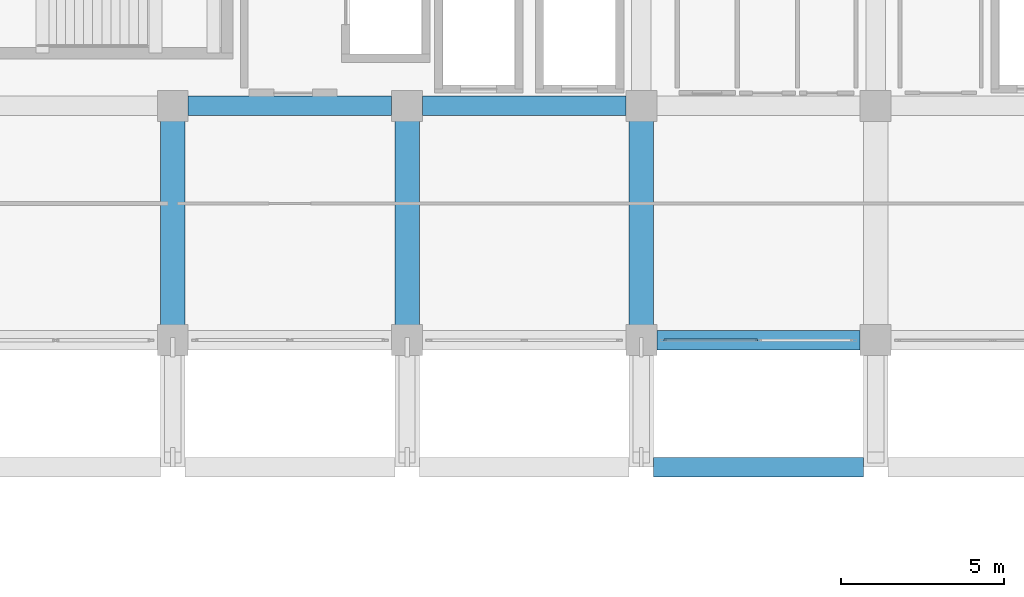
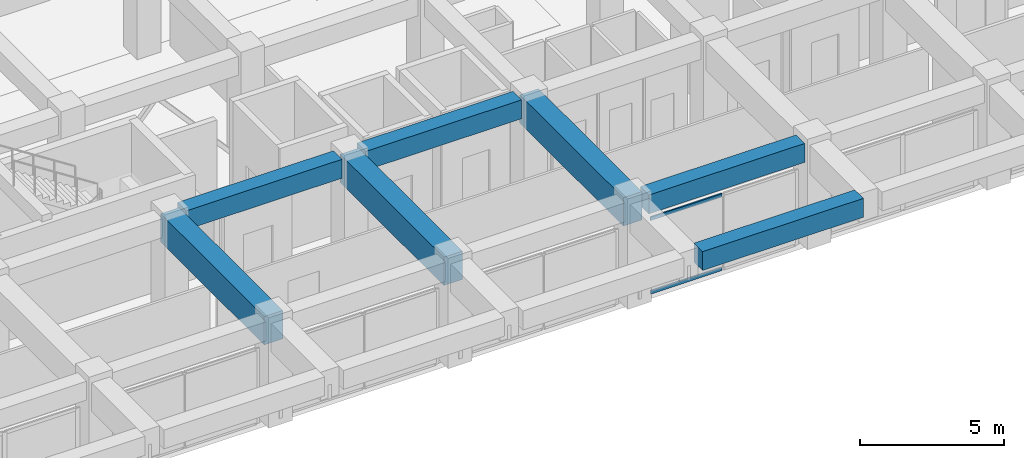
# One storey, part 12 of 54: 7 beams, 2 members, 1 element without a shape of its own.
"""IFC4 building model written with IfcOpenShell, lengths in metres."""

from ifc_helpers import new_model, si_unit, direction, frame, origin, origin_2d, place, context, subcontext, project, spatial, rectangle, hollow_rectangle, extrude, material, material_profile, profile_set, type_object, element, aggregate, save


model = new_model("IFC4")

# Units and contexts
model_context = context("Model", 3, precision=1e-05, world=origin(), true_north=direction((0.0, 1.0)))
body_context = subcontext(model_context, "Body", "Model", "MODEL_VIEW")
ifc_project = project(units=[si_unit("LENGTHUNIT", "METRE"), si_unit("AREAUNIT", "SQUARE_METRE"), si_unit("VOLUMEUNIT", "CUBIC_METRE"), si_unit("PLANEANGLEUNIT", "RADIAN"), si_unit("MASSUNIT", "GRAM", prefix="KILO")], contexts=[model_context])

# Site, building, storey
site_placement = place(None, origin())
site = spatial("IfcSite", under=ifc_project, at=site_placement, CompositionType="ELEMENT")
building_placement = place(site_placement, origin())
building = spatial("IfcBuilding", under=site, at=building_placement, Name="Kazehaya Institute of Natural Sciences", CompositionType="ELEMENT")
storey_placement = place(building_placement, frame((0.0, 0.0, 10.43994140625)))
storey = spatial("IfcBuildingStorey", under=building, at=storey_placement, Name="L02", CompositionType="ELEMENT", Elevation=10.43994140625)

# Beams
ifc_material_1 = material(Name="Concrete Fc36", Category="concrete")
ifc_material_profile_1 = material_profile(ifc_material_1, rectangle(XDim=0.60009765625, YDim=0.800048828125, at=origin_2d()), Name="RC-600x800")
ifc_profile_set_1 = profile_set([ifc_material_profile_1], Name="Concrete Fc36")
beam_type_1 = type_object("IfcBeamType", Name="BM-G-600x800", PredefinedType="BEAM", material=ifc_profile_set_1)
beam_placement = place(storey_placement, frame((83.77490234375, 10.10009765625, 4.010009765625), z_axis=(1.0, 0.0, 0.0), x_axis=(0.0, 1.0, 0.0)))
element("IfcBeam", 1, at=beam_placement, inside=storey, type_object=beam_type_1, Name="L02 primary X girder BMX-L02-834-101", PredefinedType="BEAM", context=body_context, shape_type="SweptSolid", body=[
    extrude(rectangle(XDim=0.60009765625, YDim=0.800048828125, at=origin_2d()), origin(), (0.0, 0.0, 1.0), 6.4501953125),
])
for number, where, z_axis, x_axis, name in (
    (2, (83.875, 14.0, 4.010009765625), (1.0, 0.0, 0.0), (0.0, 1.0, 0.0), "L02 primary X girder BMX-L02-834-140"),
    (3, (69.47509765625, 21.199951171875, 4.010009765625), (1.0, 0.0, 0.0), (0.0, 1.0, 0.0), "L02 primary X girder BMX-L02-690-212"),
    (4, (76.675048828125, 21.199951171875, 4.010009765625), (1.0, 0.0, 0.0), (0.0, 1.0, 0.0), "L02 primary X girder BMX-L02-762-212"),
):
    element("IfcBeam", number, at=place(storey_placement, frame(where, z_axis=z_axis, x_axis=x_axis)), inside=storey, type_object=beam_type_1, Name=name, PredefinedType="BEAM", context=body_context, shape_type="SweptSolid", body=[
        extrude(rectangle(XDim=0.60009765625, YDim=0.800048828125, at=origin_2d()), origin(), (0.0, 0.0, 1.0), 6.25),
    ])
ifc_material_2 = material(Name="Concrete Fc42", Category="concrete")
ifc_material_profile_2 = material_profile(ifc_material_2, rectangle(XDim=0.75, YDim=1.199951171875, at=origin_2d()), Name="RC-750x1200")
ifc_profile_set_2 = profile_set([ifc_material_profile_2], Name="Concrete Fc42")
beam_type_2 = type_object("IfcBeamType", Name="BM-TG-750x1200", PredefinedType="BEAM", material=ifc_profile_set_2)
for number, where, z_axis, x_axis, name in (
    (5, (69.0, 14.0, 3.81005859375), (0.0, 1.0, 0.0), (-1.0, 0.0, 0.0), "L02 transfer girder back-span 1216"),
    (6, (76.199951171875, 14.0, 3.81005859375), (0.0, 1.0, 0.0), (-1.0, 0.0, 0.0), "L02 transfer girder back-span 1226"),
    (7, (83.39990234375, 14.0, 3.81005859375), (0.0, 1.0, 0.0), (-1.0, 0.0, 0.0), "L02 transfer girder back-span 1232"),
):
    element("IfcBeam", number, at=place(storey_placement, frame(where, z_axis=z_axis, x_axis=x_axis)), inside=storey, type_object=beam_type_2, Name=name, PredefinedType="BEAM", context=body_context, shape_type="SweptSolid", body=[
        extrude(rectangle(XDim=0.75, YDim=1.199951171875, at=origin_2d()), origin(), (0.0, 0.0, 1.0), 7.199951171875),
    ])

# Curtain wall, members
ifc_material_3 = material(Name="Aluminium alloy A6063S-T5", Category="aluminium")
curtain_wall_type = type_object("IfcCurtainWallType", Name="CW-SYS-03", PredefinedType="NOTDEFINED", material=ifc_material_3)
curtain_wall_placement = place(storey_placement, origin())
curtain_wall = element("IfcCurtainWall", 8, at=curtain_wall_placement, inside=storey, type_object=curtain_wall_type, Name="L02 unitised curtain wall CW-L02-052", PredefinedType="NOTDEFINED")
ifc_material_profile_3 = material_profile(ifc_material_3, hollow_rectangle(XDim=0.06005859375, YDim=0.139892578125, WallThickness=0.00341796875, at=origin_2d()), Name="ALU-60x140x3.5")
ifc_profile_set_3 = profile_set([ifc_material_profile_3], Name="Aluminium alloy A6063S-T5")
member_type = type_object("IfcMemberType", Name="CWT-140", PredefinedType="USERDEFINED", material=ifc_profile_set_3)
member_1_placement = place(storey_placement, frame((86.969970703125, 14.0, 0.030029296875), z_axis=(-1.0, 0.0, 0.0), x_axis=(0.0, -1.0, 0.0)))
member_1 = element("IfcMember", 9, at=member_1_placement, type_object=member_type, Name="CW03 transom 2.1", ObjectType="TRANSOM", PredefinedType="USERDEFINED", context=body_context, shape_type="SweptSolid", body=[
    extrude(hollow_rectangle(XDim=0.06005859375, YDim=0.139892578125, WallThickness=0.00341796875, at=origin_2d()), origin(), (0.0, 0.0, 1.0), 2.869873046875),
])
member_2_placement = place(storey_placement, frame((86.969970703125, 14.0, 3.150146484375), z_axis=(-1.0, 0.0, 0.0), x_axis=(0.0, -1.0, 0.0)))
member_2 = element("IfcMember", 10, at=member_2_placement, type_object=member_type, Name="CW03 transom 2.2", ObjectType="TRANSOM", PredefinedType="USERDEFINED", context=body_context, shape_type="SweptSolid", body=[
    extrude(hollow_rectangle(XDim=0.06005859375, YDim=0.139892578125, WallThickness=0.00341796875, at=origin_2d()), origin(), (0.0, 0.0, 1.0), 2.869873046875),
])
aggregate(curtain_wall, [member_1, member_2])

save(model, "model.ifc")
